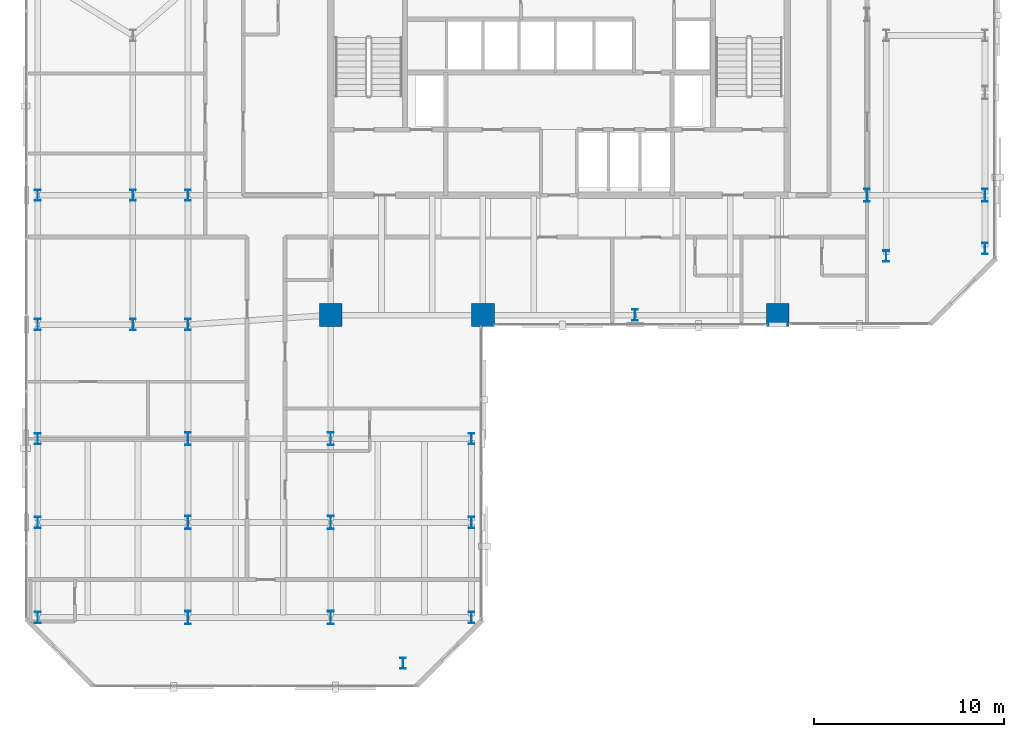
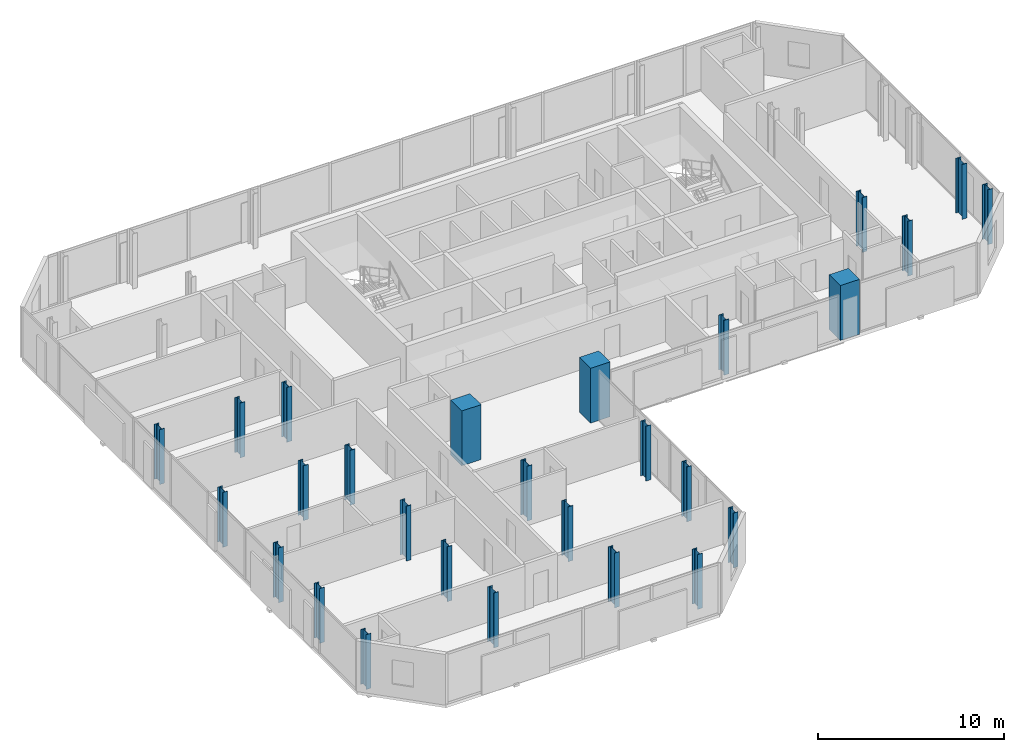
# One storey, part 1 of 33: 27 columns.
"""IFC4 building model written with IfcOpenShell, lengths in metres."""

from ifc_helpers import new_model, si_unit, direction, frame, origin, origin_2d, place, context, subcontext, project, spatial, rectangle, i_section, extrude, material, material_profile, profile_set, type_object, element, save


model = new_model("IFC4")

# Units and contexts
model_context = context("Model", 3, precision=1e-05, world=origin(), true_north=direction((0.0, 1.0)))
body_context = subcontext(model_context, "Body", "Model", "MODEL_VIEW")
ifc_project = project(units=[si_unit("LENGTHUNIT", "METRE"), si_unit("AREAUNIT", "SQUARE_METRE"), si_unit("VOLUMEUNIT", "CUBIC_METRE"), si_unit("PLANEANGLEUNIT", "RADIAN"), si_unit("MASSUNIT", "GRAM", prefix="KILO")], contexts=[model_context])

# Site, building, storey
site_placement = place(None, origin())
site = spatial("IfcSite", under=ifc_project, at=site_placement, CompositionType="ELEMENT")
building_placement = place(site_placement, origin())
building = spatial("IfcBuilding", under=site, at=building_placement, Name="Catumbela Crestline Tower", CompositionType="ELEMENT")
storey_placement = place(building_placement, frame((0.0, 0.0, 118.8)))
storey = spatial("IfcBuildingStorey", under=building, at=storey_placement, Name="L30", CompositionType="ELEMENT", Elevation=118.8)

# Columns
ifc_material_1 = material(Name="Concrete C50/60", Category="concrete")
ifc_material_profile_1 = material_profile(ifc_material_1, rectangle(XDim=1.2, YDim=1.2, at=origin_2d()), Name="RC 1200x1200")
ifc_profile_set_1 = profile_set([ifc_material_profile_1], Name="Concrete C50/60")
column_type_1 = type_object("IfcColumnType", Name="C-RC1200-C50", PredefinedType="COLUMN", material=ifc_profile_set_1)
for number, where, z_axis, x_axis, name in (
    (1, (16.0, 24.5, 0.0), (0.0, 0.0, 1.0), (1.0, 0.0, 0.0), "L30 Column C-16-24 (RC 1200x1200)"),
    (2, (24.0, 24.5, 0.0), (0.0, 0.0, 1.0), (1.0, 0.0, 0.0), "L30 Column C-24-24 (RC 1200x1200)"),
    (3, (39.5, 24.5, 0.0), (0.0, 0.0, 1.0), (1.0, 0.0, 0.0), "L30 Column C-40-24 (RC 1200x1200)"),
):
    element("IfcColumn", number, at=place(storey_placement, frame(where, z_axis=z_axis, x_axis=x_axis)), inside=storey, type_object=column_type_1, Name=name, PredefinedType="COLUMN", context=body_context, shape_type="SweptSolid", body=[
        extrude(rectangle(XDim=1.2, YDim=1.2, at=origin_2d()), origin(), (0.0, 0.0, 1.0), 3.6),
    ])
ifc_material_2 = material(Name="Structural steel S460M", Category="steel")
ifc_material_profile_2 = material_profile(ifc_material_2, i_section(OverallWidth=0.3, OverallDepth=0.6, WebThickness=0.0155, FlangeThickness=0.03, FilletRadius=0.027, at=origin_2d()), Name="HEB 600")
ifc_profile_set_2 = profile_set([ifc_material_profile_2], Name="Structural steel S460M")
column_type_2 = type_object("IfcColumnType", Name="C-ST-HEB600", PredefinedType="COLUMN", material=ifc_profile_set_2)
for number, where, z_axis, x_axis, name in (
    (4, (8.5, 24.0, 0.0), (0.0, 0.0, 1.0), (1.0, 0.0, 0.0), "L30 Column C-08-24 (HEB 600)"),
    (5, (32.0, 24.5, 0.0), (0.0, 0.0, 1.0), (1.0, 0.0, 0.0), "L30 Column C-32-24 (HEB 600)"),
    (6, (5.6, 24.0, 0.0), (0.0, 0.0, 1.0), (1.0, 0.0, 0.0), "L30 Column C-05-24 (HEB 600)"),
    (7, (5.6, 30.8, 0.0), (0.0, 0.0, 1.0), (1.0, 0.0, 0.0), "L30 Column C-05-31 (HEB 600)"),
    (8, (8.5, 30.8, 0.0), (0.0, 0.0, 1.0), (1.0, 0.0, 0.0), "L30 Column C-08-31 (HEB 600)"),
    (9, (45.2, 27.6, 0.0), (0.0, 0.0, 1.0), (1.0, 0.0, 0.0), "L30 Column C-46-24 (HEB 600)"),
    (10, (0.6, 24.0, 0.0), (0.0, 0.0, 1.0), (1.0, 0.0, 0.0), "L30 Column C-00-24 (HEB 600)"),
    (11, (0.6, 30.8, 0.0), (0.0, 0.0, 1.0), (1.0, 0.0, 0.0), "L30 Column C-00-31 (HEB 600)"),
    (12, (50.4, 28.0, 0.0), (0.0, 0.0, 1.0), (1.0, 0.0, 0.0), "L30 Column C-51-24 (HEB 600)"),
    (13, (0.6, 8.6, 0.0), (0.0, 0.0, 1.0), (1.0, 0.0, 0.0), "L30 Column C-00-05 (HEB 600)"),
    (14, (0.6, 13.6, 0.0), (0.0, 0.0, 1.0), (1.0, 0.0, 0.0), "L30 Column C-00-10 (HEB 600)"),
    (15, (0.6, 18.0, 0.0), (0.0, 0.0, 1.0), (1.0, 0.0, 0.0), "L30 Column C-00-16 (HEB 600)"),
    (16, (19.8, 6.2, 0.0), (0.0, 0.0, 1.0), (1.0, 0.0, 0.0), "L30 Column C-24-05 (HEB 600)"),
    (17, (23.4, 8.6, 0.0), (0.0, 0.0, 1.0), (1.0, 0.0, 0.0), "L30 Column C-23-08 (HEB 600)"),
    (18, (23.4, 13.6, 0.0), (0.0, 0.0, 1.0), (1.0, 0.0, 0.0), "L30 Column C-24-10 (HEB 600)"),
    (19, (23.4, 18.0, 0.0), (0.0, 0.0, 1.0), (1.0, 0.0, 0.0), "L30 Column C-24-16 (HEB 600)"),
):
    element("IfcColumn", number, at=place(storey_placement, frame(where, z_axis=z_axis, x_axis=x_axis)), inside=storey, type_object=column_type_2, Name=name, PredefinedType="COLUMN", context=body_context, shape_type="SweptSolid", body=[
        extrude(i_section(OverallWidth=0.3, OverallDepth=0.6, WebThickness=0.0155, FlangeThickness=0.03, FilletRadius=0.027, at=origin_2d()), origin(), (0.0, 0.0, 1.0), 3.6),
    ])
ifc_material_profile_3 = material_profile(ifc_material_2, i_section(OverallWidth=0.3, OverallDepth=0.7, WebThickness=0.017, FlangeThickness=0.032, FilletRadius=0.027, at=origin_2d()), Name="HEB 700")
ifc_profile_set_3 = profile_set([ifc_material_profile_3], Name="Structural steel S460M")
column_type_3 = type_object("IfcColumnType", Name="C-ST-HEB700", PredefinedType="COLUMN", material=ifc_profile_set_3)
for number, where, z_axis, x_axis, name in (
    (20, (8.5, 8.6, 0.0), (0.0, 0.0, 1.0), (1.0, 0.0, 0.0), "L30 Column CT-05-05 (HEB 700)"),
    (21, (16.0, 8.6, 0.0), (0.0, 0.0, 1.0), (1.0, 0.0, 0.0), "L30 Column CT-14-05 (HEB 700)"),
    (22, (8.5, 13.6, 0.0), (0.0, 0.0, 1.0), (1.0, 0.0, 0.0), "L30 Column CT-05-10 (HEB 700)"),
    (23, (16.0, 13.6, 0.0), (0.0, 0.0, 1.0), (1.0, 0.0, 0.0), "L30 Column CT-14-10 (HEB 700)"),
    (24, (8.5, 18.0, 0.0), (0.0, 0.0, 1.0), (1.0, 0.0, 0.0), "L30 Column CT-05-16 (HEB 700)"),
    (25, (16.0, 18.0, 0.0), (0.0, 0.0, 1.0), (1.0, 0.0, 0.0), "L30 Column CT-14-16 (HEB 700)"),
    (26, (44.2, 30.8, 0.0), (0.0, 0.0, 1.0), (1.0, 0.0, 0.0), "L30 Column CT-46-31 (HEB 700)"),
    (27, (50.4, 30.8, 0.0), (0.0, 0.0, 1.0), (1.0, 0.0, 0.0), "L30 Column CT-51-31 (HEB 700)"),
):
    element("IfcColumn", number, at=place(storey_placement, frame(where, z_axis=z_axis, x_axis=x_axis)), inside=storey, type_object=column_type_3, Name=name, PredefinedType="COLUMN", context=body_context, shape_type="SweptSolid", body=[
        extrude(i_section(OverallWidth=0.3, OverallDepth=0.7, WebThickness=0.017, FlangeThickness=0.032, FilletRadius=0.027, at=origin_2d()), origin(), (0.0, 0.0, 1.0), 3.6),
    ])

save(model, "model.ifc")
